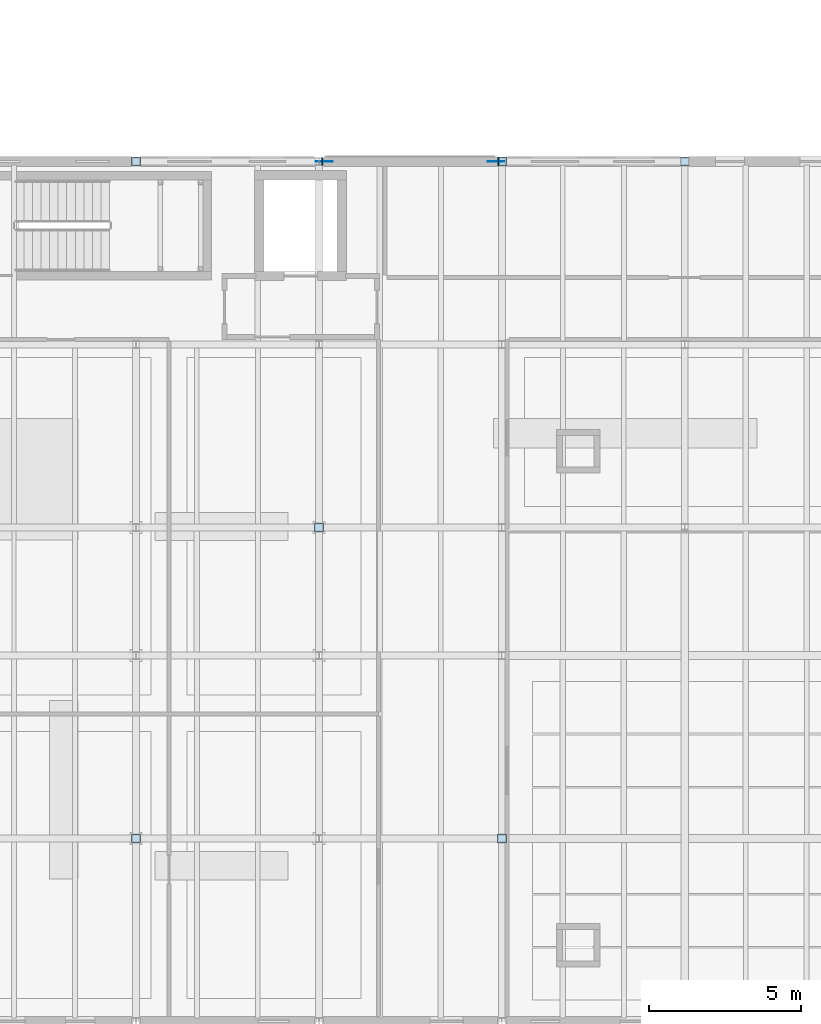
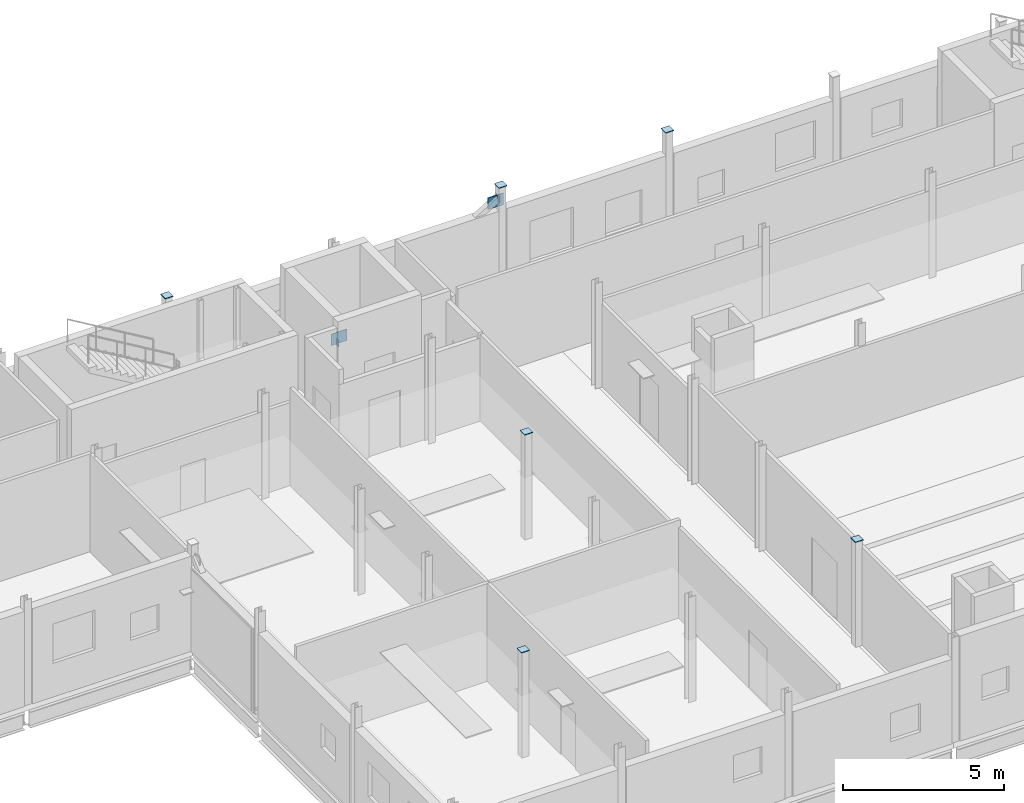
# One storey, part 60 of 92: 10 plates.
"""IFC4 building model written with IfcOpenShell, lengths in metres."""

from ifc_helpers import new_model, si_unit, direction, frame, origin, origin_2d, place, context, subcontext, project, spatial, rectangle, extrude, material, layer, layer_set, type_object, element, save


model = new_model("IFC4")

# Units and contexts
model_context = context("Model", 3, precision=1e-05, world=origin(), true_north=direction((0.0, 1.0)))
body_context = subcontext(model_context, "Body", "Model", "MODEL_VIEW")
ifc_project = project(units=[si_unit("LENGTHUNIT", "METRE"), si_unit("AREAUNIT", "SQUARE_METRE"), si_unit("VOLUMEUNIT", "CUBIC_METRE"), si_unit("PLANEANGLEUNIT", "RADIAN"), si_unit("MASSUNIT", "GRAM", prefix="KILO")], contexts=[model_context])

# Site, building, storey
site_placement = place(None, origin())
site = spatial("IfcSite", under=ifc_project, at=site_placement, CompositionType="ELEMENT")
building_placement = place(site_placement, origin())
building = spatial("IfcBuilding", under=site, at=building_placement, Name="Siltcreek Boulevard Central Fire Station", CompositionType="ELEMENT")
storey_placement = place(building_placement, frame((0.0, 0.0, 6.0)))
storey = spatial("IfcBuildingStorey", under=building, at=storey_placement, Name="L02", CompositionType="ELEMENT", Elevation=6.0)

# Plates
ifc_material = material(Name="Structural steel ASTM A572 Gr50", Category="steel")
ifc_layer_1 = layer(ifc_material, 0.02490234375, Name="Structural steel ASTM A572 Gr50")
ifc_layer_set_1 = layer_set([ifc_layer_1], Name="Structural steel ASTM A572 Gr50")
plate_type_1 = type_object("IfcPlateType", Name="PL_CAP25", PredefinedType="USERDEFINED", material=ifc_layer_set_1)
for number, where, z_axis, x_axis, name in (
    (1, (130.199951171875, 7.800048828125, 3.998046875), (0.0, 0.0, 1.0), (1.0, 0.0, 0.0), "L02 structural column COLG-L02-1302-78 sealed end cap 2"),
    (2, (130.199951171875, 30.0, 3.998046875), (0.0, 0.0, 1.0), (1.0, 0.0, 0.0), "L02 structural column COLG-L02-1302-300 sealed end cap 2"),
    (3, (136.199951171875, 18.0, 3.998046875), (0.0, 0.0, 1.0), (1.0, 0.0, 0.0), "L02 structural column COLG-L02-1362-180 sealed end cap 2"),
    (4, (142.199951171875, 7.800048828125, 3.998046875), (0.0, 0.0, 1.0), (1.0, 0.0, 0.0), "L02 structural column COLG-L02-1422-78 sealed end cap 2"),
    (5, (142.199951171875, 30.0, 3.998046875), (0.0, 0.0, 1.0), (1.0, 0.0, 0.0), "L02 structural column COLG-L02-1422-300 sealed end cap 2"),
    (6, (148.199951171875, 30.0, 3.998046875), (0.0, 0.0, 1.0), (1.0, 0.0, 0.0), "L02 structural column COLG-L02-1482-300 sealed end cap 2"),
):
    element("IfcPlate", number, at=place(storey_placement, frame(where, z_axis=z_axis, x_axis=x_axis)), inside=storey, type_object=plate_type_1, Name=name, ObjectType="END CAP", PredefinedType="USERDEFINED", context=body_context, shape_type="SweptSolid", body=[
        extrude(rectangle(XDim=0.2900390625, YDim=0.2900390625, at=origin_2d()), origin(), (0.0, 0.0, 1.0), 0.02490234375),
    ])
for number, where, z_axis, x_axis, name in (
    (7, (136.31103515625, 30.0, -0.025390625), (0.0, 0.0, 1.0), (1.0, 0.0, 0.0), "L02 buckling-restrained brace BR-040 sealed end cap 1"),
    (8, (142.089111328125, 30.0, 3.435546875), (0.0, 0.0, 1.0), (1.0, 0.0, 0.0), "L02 buckling-restrained brace BR-040 sealed end cap 2"),
):
    element("IfcPlate", number, at=place(storey_placement, frame(where, z_axis=z_axis, x_axis=x_axis)), inside=storey, type_object=plate_type_1, Name=name, ObjectType="END CAP", PredefinedType="USERDEFINED", context=body_context, shape_type="SweptSolid", body=[
        extrude(rectangle(XDim=0.02490234375, YDim=0.239990234375, at=origin_2d()), origin(), (0.0, 0.0, 1.0), 0.239990234375),
    ])
ifc_layer_2 = layer(ifc_material, 0.02197265625, Name="Structural steel ASTM A572 Gr50")
ifc_layer_set_2 = layer_set([ifc_layer_2], Name="Structural steel ASTM A572 Gr50")
plate_type_2 = type_object("IfcPlateType", Name="PL_GUS22", PredefinedType="USERDEFINED", material=ifc_layer_set_2)
plate_1_placement = place(storey_placement, frame((136.3798828125, 30.0, 0.030029296875), z_axis=(0.0, 0.0, 1.0), x_axis=(1.0, 0.0, 0.0)))
element("IfcPlate", 9, at=plate_1_placement, inside=storey, type_object=plate_type_2, Name="Seismic brace bot gusset plate GP-113", ObjectType="GUSSET PLATE", PredefinedType="USERDEFINED", context=body_context, shape_type="SweptSolid", body=[
    extrude(rectangle(XDim=0.56005859375, YDim=0.02197265625, at=origin_2d()), origin(), (0.0, 0.0, 1.0), 0.43994140625),
])
ifc_layer_3 = layer(ifc_material, 0.028076171875, Name="Structural steel ASTM A572 Gr50")
ifc_layer_set_3 = layer_set([ifc_layer_3], Name="Structural steel ASTM A572 Gr50")
plate_type_3 = type_object("IfcPlateType", Name="PL_GUS28", PredefinedType="USERDEFINED", material=ifc_layer_set_3)
plate_2_placement = place(storey_placement, frame((142.02001953125, 30.0, 3.22998046875), z_axis=(0.0, 0.0, 1.0), x_axis=(1.0, 0.0, 0.0)))
element("IfcPlate", 10, at=plate_2_placement, inside=storey, type_object=plate_type_3, Name="Seismic brace top gusset plate GP-114", ObjectType="GUSSET PLATE", PredefinedType="USERDEFINED", context=body_context, shape_type="SweptSolid", body=[
    extrude(rectangle(XDim=0.56005859375, YDim=0.028076171875, at=origin_2d()), origin(), (0.0, 0.0, 1.0), 0.43994140625),
])

save(model, "model.ifc")
